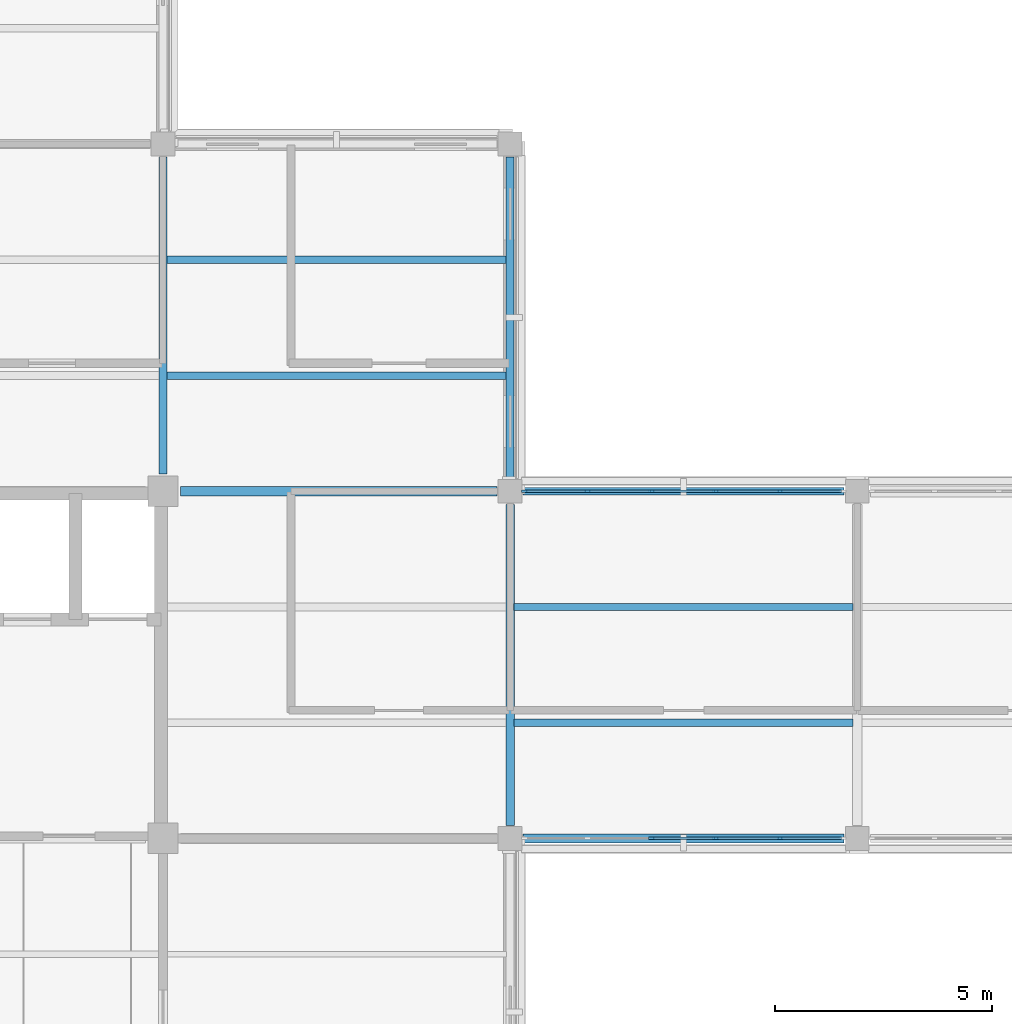
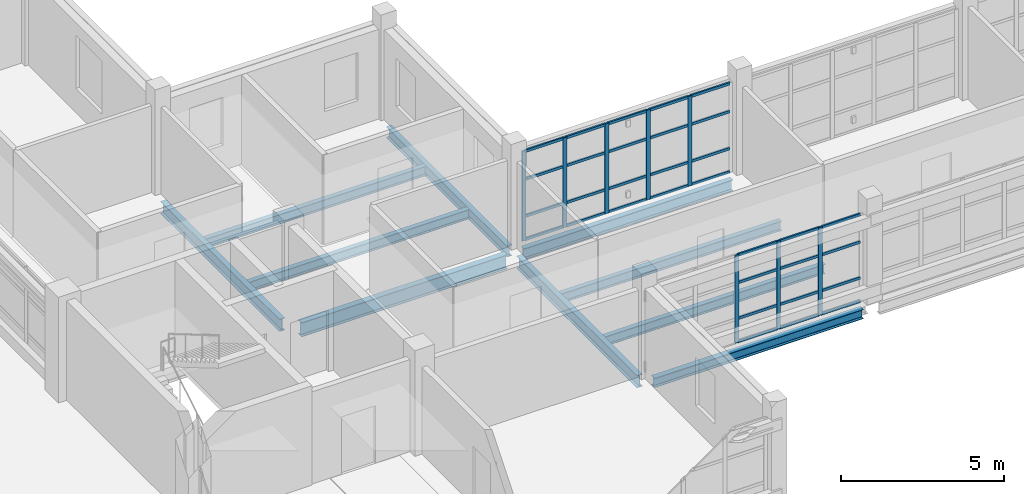
# One storey, part 26 of 107: 40 members, 10 beams, 2 elements without a shape of their own.
"""IFC4 building model written with IfcOpenShell, lengths in metres."""

from ifc_helpers import new_model, si_unit, derived_unit, direction, frame, origin, origin_2d, place, context, subcontext, project, spatial, rectangle, i_section, extrude, material, layer, layer_set, material_profile, profile_set, type_object, element, aggregate, save


model = new_model("IFC4")

# Units and contexts
model_context = context("Model", 3, precision=1e-05, world=origin(), true_north=direction((0.0, 1.0)))
body_context = subcontext(model_context, "Body", "Model", "MODEL_VIEW")
ifc_project = project(units=[si_unit("LENGTHUNIT", "METRE"), si_unit("AREAUNIT", "SQUARE_METRE"), si_unit("VOLUMEUNIT", "CUBIC_METRE"), si_unit("PLANEANGLEUNIT", "RADIAN"), si_unit("MASSUNIT", "GRAM", prefix="KILO"), derived_unit("THERMALTRANSMITTANCEUNIT", [(si_unit("MASSUNIT", "GRAM", prefix="KILO"), 1), (si_unit("TIMEUNIT", "SECOND"), -3), (si_unit("THERMODYNAMICTEMPERATUREUNIT", "KELVIN"), -1)])], contexts=[model_context])

# Site, building, storey
site_placement = place(None, origin())
site = spatial("IfcSite", under=ifc_project, at=site_placement, CompositionType="ELEMENT")
building_placement = place(site_placement, origin())
building = spatial("IfcBuilding", under=site, at=building_placement, Name="Veyamyaing Civic Hall", CompositionType="ELEMENT")
storey_placement = place(building_placement, frame((0.0, 0.0, 13.860107421875)))
storey = spatial("IfcBuildingStorey", under=building, at=storey_placement, Name="L03", CompositionType="ELEMENT", Elevation=13.860107421875)

# Beams
ifc_material_1 = material(Name="Steel ASTM A992", Category="steel")
ifc_material_profile_1 = material_profile(ifc_material_1, i_section(OverallWidth=0.208984375, OverallDepth=0.532958984375, WebThickness=0.01025390625, FlangeThickness=0.015625, FilletRadius=0.011962890625, at=origin_2d()), Name="W530X92")
ifc_profile_set_1 = profile_set([ifc_material_profile_1], Name="Steel ASTM A992")
beam_type_1 = type_object("IfcBeamType", Name="B-07", PredefinedType="BEAM", material=ifc_profile_set_1)
beam_1_placement = place(storey_placement, frame((112.39990234375, 56.0, -0.521728515625), z_axis=(1.0, 0.0, 0.0), x_axis=(0.0, 1.0, 0.0)))
element("IfcBeam", 1, at=beam_1_placement, inside=storey, type_object=beam_type_1, Name="Girder B-07 L03 Grid H 15-16", PredefinedType="BEAM", context=body_context, shape_type="SweptSolid", body=[
    extrude(i_section(OverallWidth=0.208984375, OverallDepth=0.532958984375, WebThickness=0.01025390625, FlangeThickness=0.015625, FilletRadius=0.011962890625, at=origin_2d()), origin(), (0.0, 0.0, 1.0), 7.300048828125),
])
ifc_material_profile_2 = material_profile(ifc_material_1, i_section(OverallWidth=0.19189453125, OverallDepth=0.462890625, WebThickness=0.010498046875, FlangeThickness=0.017578125, FilletRadius=0.010009765625, at=origin_2d()), Name="W460X89")
ifc_profile_set_2 = profile_set([ifc_material_profile_2], Name="Steel ASTM A992")
beam_type_2 = type_object("IfcBeamType", Name="B-08", PredefinedType="BEAM", material=ifc_profile_set_2)
beam_2_placement = place(storey_placement, frame((112.0, 56.39990234375, -0.486572265625), z_axis=(0.0, 1.0, 0.0), x_axis=(-1.0, 0.0, 0.0)))
element("IfcBeam", 2, at=beam_2_placement, inside=storey, type_object=beam_type_2, Name="Girder B-08 L03 Grid 15 H-J", PredefinedType="BEAM", context=body_context, shape_type="SweptSolid", body=[
    extrude(i_section(OverallWidth=0.19189453125, OverallDepth=0.462890625, WebThickness=0.010498046875, FlangeThickness=0.017578125, FilletRadius=0.010009765625, at=origin_2d()), origin(), (0.0, 0.0, 1.0), 7.300048828125),
])
beam_3_placement = place(storey_placement, frame((120.0, 48.300048828125, -0.486572265625), z_axis=(0.0, 1.0, 0.0), x_axis=(-1.0, 0.0, 0.0)))
element("IfcBeam", 3, at=beam_3_placement, inside=storey, type_object=beam_type_2, Name="Girder B-08 L03 Grid 16 G-H", PredefinedType="BEAM", context=body_context, shape_type="SweptSolid", body=[
    extrude(i_section(OverallWidth=0.19189453125, OverallDepth=0.462890625, WebThickness=0.010498046875, FlangeThickness=0.017578125, FilletRadius=0.010009765625, at=origin_2d()), origin(), (0.0, 0.0, 1.0), 7.39990234375),
])
ifc_material_profile_3 = material_profile(ifc_material_1, i_section(OverallWidth=0.2041015625, OverallDepth=0.35009765625, WebThickness=0.0078125, FlangeThickness=0.01513671875, FilletRadius=0.010009765625, at=origin_2d()), Name="W360X72")
ifc_profile_set_3 = profile_set([ifc_material_profile_3], Name="Steel ASTM A992")
beam_type_3 = type_object("IfcBeamType", Name="B-11", PredefinedType="SPANDREL", material=ifc_profile_set_3)
beam_4_placement = place(storey_placement, frame((120.300048828125, 48.0, -0.43017578125), z_axis=(1.0, 0.0, 0.0), x_axis=(0.0, 1.0, 0.0)))
element("IfcBeam", 4, at=beam_4_placement, inside=storey, type_object=beam_type_3, Name="Girder B-11 L03 Grid G 16-17", PredefinedType="SPANDREL", context=body_context, shape_type="SweptSolid", body=[
    extrude(i_section(OverallWidth=0.2041015625, OverallDepth=0.35009765625, WebThickness=0.0078125, FlangeThickness=0.01513671875, FilletRadius=0.010009765625, at=origin_2d()), origin(), (0.0, 0.0, 1.0), 7.39990234375),
])
ifc_material_profile_4 = material_profile(ifc_material_1, i_section(OverallWidth=0.180908203125, OverallDepth=0.4169921875, WebThickness=0.010986328125, FlangeThickness=0.018310546875, FilletRadius=0.010009765625, at=origin_2d()), Name="W410X85")
ifc_profile_set_4 = profile_set([ifc_material_profile_4], Name="Steel ASTM A992")
beam_type_4 = type_object("IfcBeamType", Name="B-19", PredefinedType="SPANDREL", material=ifc_profile_set_4)
for number, where, z_axis, x_axis, name in (
    (5, (120.300048828125, 56.0, -0.463623046875), (1.0, 0.0, 0.0), (0.0, 1.0, 0.0), "Girder B-19 L03 Grid H 16-17"),
    (6, (120.0, 56.300048828125, -0.463623046875), (0.0, 1.0, 0.0), (-1.0, 0.0, 0.0), "Girder B-19 L03 Grid 16 H-J"),
):
    element("IfcBeam", number, at=place(storey_placement, frame(where, z_axis=z_axis, x_axis=x_axis)), inside=storey, type_object=beam_type_4, Name=name, PredefinedType="SPANDREL", context=body_context, shape_type="SweptSolid", body=[
        extrude(i_section(OverallWidth=0.180908203125, OverallDepth=0.4169921875, WebThickness=0.010986328125, FlangeThickness=0.018310546875, FilletRadius=0.010009765625, at=origin_2d()), origin(), (0.0, 0.0, 1.0), 7.39990234375),
    ])

# Curtain wall, members
ifc_material_2 = material(Name="Anodised aluminium 6063-T6", Category="aluminium")
ifc_layer = layer(ifc_material_2, 0.139892578125, Name="Anodised aluminium 6063-T6")
ifc_layer_set = layer_set([ifc_layer], Name="Anodised aluminium 6063-T6")
curtain_wall_type = type_object("IfcCurtainWallType", Name="CW-04", PredefinedType="NOTDEFINED", material=ifc_layer_set)
curtain_wall_1_placement = place(storey_placement, origin())
curtain_wall_1 = element("IfcCurtainWall", 7, at=curtain_wall_1_placement, inside=storey, type_object=curtain_wall_type, Name="Unitized curtain wall CW-04 L03 S 16.7", PredefinedType="NOTDEFINED")
ifc_material_profile_5 = material_profile(ifc_material_2, rectangle(XDim=0.06005859375, YDim=0.139892578125, at=origin_2d()), Name="ALU-MUL-60X140")
ifc_profile_set_5 = profile_set([ifc_material_profile_5], Name="Anodised aluminium 6063-T6")
member_type_1 = type_object("IfcMemberType", Name="CWM-03", PredefinedType="MULLION", material=ifc_profile_set_5)
member_1_placement = place(storey_placement, frame((123.260986328125, 48.0, 0.0), z_axis=(0.0, 0.0, 1.0), x_axis=(0.0, 1.0, 0.0)))
member_1 = element("IfcMember", 8, at=member_1_placement, type_object=member_type_1, Name="CW-04 mullion 3", PredefinedType="MULLION", context=body_context, shape_type="SweptSolid", body=[
    extrude(rectangle(XDim=0.06005859375, YDim=0.139892578125, at=origin_2d()), origin(), (0.0, 0.0, 1.0), 3.2998046875),
])
member_2_placement = place(storey_placement, frame((124.739013671875, 48.0, 0.0), z_axis=(0.0, 0.0, 1.0), x_axis=(0.0, 1.0, 0.0)))
member_2 = element("IfcMember", 9, at=member_2_placement, type_object=member_type_1, Name="CW-04 mullion 4", PredefinedType="MULLION", context=body_context, shape_type="SweptSolid", body=[
    extrude(rectangle(XDim=0.06005859375, YDim=0.139892578125, at=origin_2d()), origin(), (0.0, 0.0, 1.0), 3.2998046875),
])
member_3_placement = place(storey_placement, frame((126.217041015625, 48.0, 0.0), z_axis=(0.0, 0.0, 1.0), x_axis=(0.0, 1.0, 0.0)))
member_3 = element("IfcMember", 10, at=member_3_placement, type_object=member_type_1, Name="CW-04 mullion 5", PredefinedType="MULLION", context=body_context, shape_type="SweptSolid", body=[
    extrude(rectangle(XDim=0.06005859375, YDim=0.139892578125, at=origin_2d()), origin(), (0.0, 0.0, 1.0), 3.2998046875),
])

curtain_wall_2_placement = place(storey_placement, origin())
curtain_wall_2 = element("IfcCurtainWall", 11, at=curtain_wall_2_placement, inside=storey, type_object=curtain_wall_type, Name="Unitized curtain wall CW-04 L03 N 16.7", PredefinedType="NOTDEFINED")
member_4_placement = place(storey_placement, frame((120.3349609375, 56.0, 0.0), z_axis=(0.0, 0.0, 1.0), x_axis=(0.0, 1.0, 0.0)))
member_4 = element("IfcMember", 12, at=member_4_placement, type_object=member_type_1, Name="CW-04 mullion 1", PredefinedType="MULLION", context=body_context, shape_type="SweptSolid", body=[
    extrude(rectangle(XDim=0.06005859375, YDim=0.139892578125, at=origin_2d()), origin(), (0.0, 0.0, 1.0), 3.364013671875),
])
member_5_placement = place(storey_placement, frame((121.782958984375, 56.0, 0.0), z_axis=(0.0, 0.0, 1.0), x_axis=(0.0, 1.0, 0.0)))
member_5 = element("IfcMember", 13, at=member_5_placement, type_object=member_type_1, Name="CW-04 mullion 2", PredefinedType="MULLION", context=body_context, shape_type="SweptSolid", body=[
    extrude(rectangle(XDim=0.06005859375, YDim=0.139892578125, at=origin_2d()), origin(), (0.0, 0.0, 1.0), 3.364013671875),
])
member_6_placement = place(storey_placement, frame((123.260986328125, 56.0, 0.0), z_axis=(0.0, 0.0, 1.0), x_axis=(0.0, 1.0, 0.0)))
member_6 = element("IfcMember", 14, at=member_6_placement, type_object=member_type_1, Name="CW-04 mullion 3", PredefinedType="MULLION", context=body_context, shape_type="SweptSolid", body=[
    extrude(rectangle(XDim=0.06005859375, YDim=0.139892578125, at=origin_2d()), origin(), (0.0, 0.0, 1.0), 3.364013671875),
])
member_7_placement = place(storey_placement, frame((124.739013671875, 56.0, 0.0), z_axis=(0.0, 0.0, 1.0), x_axis=(0.0, 1.0, 0.0)))
member_7 = element("IfcMember", 15, at=member_7_placement, type_object=member_type_1, Name="CW-04 mullion 4", PredefinedType="MULLION", context=body_context, shape_type="SweptSolid", body=[
    extrude(rectangle(XDim=0.06005859375, YDim=0.139892578125, at=origin_2d()), origin(), (0.0, 0.0, 1.0), 3.364013671875),
])
member_8_placement = place(storey_placement, frame((126.217041015625, 56.0, 0.0), z_axis=(0.0, 0.0, 1.0), x_axis=(0.0, 1.0, 0.0)))
member_8 = element("IfcMember", 16, at=member_8_placement, type_object=member_type_1, Name="CW-04 mullion 5", PredefinedType="MULLION", context=body_context, shape_type="SweptSolid", body=[
    extrude(rectangle(XDim=0.06005859375, YDim=0.139892578125, at=origin_2d()), origin(), (0.0, 0.0, 1.0), 3.364013671875),
])

# Member
ifc_material_profile_6 = material_profile(ifc_material_2, rectangle(XDim=0.06005859375, YDim=0.10009765625, at=origin_2d()), Name="ALU-TRN-60X100")
ifc_profile_set_6 = profile_set([ifc_material_profile_6], Name="Anodised aluminium 6063-T6")
member_type_2 = type_object("IfcMemberType", Name="CWT-03", PredefinedType="USERDEFINED", material=ifc_profile_set_6)
member_9_placement = place(storey_placement, frame((123.291015625, 48.0, 0.02978515625), z_axis=(1.0, 0.0, 0.0), x_axis=(0.0, 1.0, 0.0)))
member_9 = element("IfcMember", 17, at=member_9_placement, type_object=member_type_2, Name="CW-04 transom 3.1", ObjectType="TRANSOM", PredefinedType="USERDEFINED", context=body_context, shape_type="SweptSolid", body=[
    extrude(rectangle(XDim=0.06005859375, YDim=0.10009765625, at=origin_2d()), origin(), (0.0, 0.0, 1.0), 1.41796875),
])

member_10_placement = place(storey_placement, frame((123.291015625, 48.0, 0.89990234375), z_axis=(1.0, 0.0, 0.0), x_axis=(0.0, 1.0, 0.0)))
member_10 = element("IfcMember", 18, at=member_10_placement, type_object=member_type_2, Name="CW-04 transom 3.2", ObjectType="TRANSOM", PredefinedType="USERDEFINED", context=body_context, shape_type="SweptSolid", body=[
    extrude(rectangle(XDim=0.06005859375, YDim=0.10009765625, at=origin_2d()), origin(), (0.0, 0.0, 1.0), 1.41796875),
])

member_11_placement = place(storey_placement, frame((123.291015625, 48.0, 2.243896484375), z_axis=(1.0, 0.0, 0.0), x_axis=(0.0, 1.0, 0.0)))
member_11 = element("IfcMember", 19, at=member_11_placement, type_object=member_type_2, Name="CW-04 transom 3.3", ObjectType="TRANSOM", PredefinedType="USERDEFINED", context=body_context, shape_type="SweptSolid", body=[
    extrude(rectangle(XDim=0.06005859375, YDim=0.10009765625, at=origin_2d()), origin(), (0.0, 0.0, 1.0), 1.41796875),
])

member_12_placement = place(storey_placement, frame((123.291015625, 48.0, 3.269775390625), z_axis=(1.0, 0.0, 0.0), x_axis=(0.0, 1.0, 0.0)))
member_12 = element("IfcMember", 20, at=member_12_placement, type_object=member_type_2, Name="CW-04 transom 3.4", ObjectType="TRANSOM", PredefinedType="USERDEFINED", context=body_context, shape_type="SweptSolid", body=[
    extrude(rectangle(XDim=0.06005859375, YDim=0.10009765625, at=origin_2d()), origin(), (0.0, 0.0, 1.0), 1.41796875),
])

member_13_placement = place(storey_placement, frame((124.76904296875, 48.0, 0.02978515625), z_axis=(1.0, 0.0, 0.0), x_axis=(0.0, 1.0, 0.0)))
member_13 = element("IfcMember", 21, at=member_13_placement, type_object=member_type_2, Name="CW-04 transom 4.1", ObjectType="TRANSOM", PredefinedType="USERDEFINED", context=body_context, shape_type="SweptSolid", body=[
    extrude(rectangle(XDim=0.06005859375, YDim=0.10009765625, at=origin_2d()), origin(), (0.0, 0.0, 1.0), 1.41796875),
])

member_14_placement = place(storey_placement, frame((124.76904296875, 48.0, 0.89990234375), z_axis=(1.0, 0.0, 0.0), x_axis=(0.0, 1.0, 0.0)))
member_14 = element("IfcMember", 22, at=member_14_placement, type_object=member_type_2, Name="CW-04 transom 4.2", ObjectType="TRANSOM", PredefinedType="USERDEFINED", context=body_context, shape_type="SweptSolid", body=[
    extrude(rectangle(XDim=0.06005859375, YDim=0.10009765625, at=origin_2d()), origin(), (0.0, 0.0, 1.0), 1.41796875),
])

member_15_placement = place(storey_placement, frame((124.76904296875, 48.0, 2.243896484375), z_axis=(1.0, 0.0, 0.0), x_axis=(0.0, 1.0, 0.0)))
member_15 = element("IfcMember", 23, at=member_15_placement, type_object=member_type_2, Name="CW-04 transom 4.3", ObjectType="TRANSOM", PredefinedType="USERDEFINED", context=body_context, shape_type="SweptSolid", body=[
    extrude(rectangle(XDim=0.06005859375, YDim=0.10009765625, at=origin_2d()), origin(), (0.0, 0.0, 1.0), 1.41796875),
])

member_16_placement = place(storey_placement, frame((124.76904296875, 48.0, 3.269775390625), z_axis=(1.0, 0.0, 0.0), x_axis=(0.0, 1.0, 0.0)))
member_16 = element("IfcMember", 24, at=member_16_placement, type_object=member_type_2, Name="CW-04 transom 4.4", ObjectType="TRANSOM", PredefinedType="USERDEFINED", context=body_context, shape_type="SweptSolid", body=[
    extrude(rectangle(XDim=0.06005859375, YDim=0.10009765625, at=origin_2d()), origin(), (0.0, 0.0, 1.0), 1.41796875),
])

member_17_placement = place(storey_placement, frame((126.2470703125, 48.0, 0.02978515625), z_axis=(1.0, 0.0, 0.0), x_axis=(0.0, 1.0, 0.0)))
member_17 = element("IfcMember", 25, at=member_17_placement, type_object=member_type_2, Name="CW-04 transom 5.1", ObjectType="TRANSOM", PredefinedType="USERDEFINED", context=body_context, shape_type="SweptSolid", body=[
    extrude(rectangle(XDim=0.06005859375, YDim=0.10009765625, at=origin_2d()), origin(), (0.0, 0.0, 1.0), 1.387939453125),
])

member_18_placement = place(storey_placement, frame((126.2470703125, 48.0, 0.89990234375), z_axis=(1.0, 0.0, 0.0), x_axis=(0.0, 1.0, 0.0)))
member_18 = element("IfcMember", 26, at=member_18_placement, type_object=member_type_2, Name="CW-04 transom 5.2", ObjectType="TRANSOM", PredefinedType="USERDEFINED", context=body_context, shape_type="SweptSolid", body=[
    extrude(rectangle(XDim=0.06005859375, YDim=0.10009765625, at=origin_2d()), origin(), (0.0, 0.0, 1.0), 1.387939453125),
])

member_19_placement = place(storey_placement, frame((126.2470703125, 48.0, 2.243896484375), z_axis=(1.0, 0.0, 0.0), x_axis=(0.0, 1.0, 0.0)))
member_19 = element("IfcMember", 27, at=member_19_placement, type_object=member_type_2, Name="CW-04 transom 5.3", ObjectType="TRANSOM", PredefinedType="USERDEFINED", context=body_context, shape_type="SweptSolid", body=[
    extrude(rectangle(XDim=0.06005859375, YDim=0.10009765625, at=origin_2d()), origin(), (0.0, 0.0, 1.0), 1.387939453125),
])

member_20_placement = place(storey_placement, frame((126.2470703125, 48.0, 3.269775390625), z_axis=(1.0, 0.0, 0.0), x_axis=(0.0, 1.0, 0.0)))
member_20 = element("IfcMember", 28, at=member_20_placement, type_object=member_type_2, Name="CW-04 transom 5.4", ObjectType="TRANSOM", PredefinedType="USERDEFINED", context=body_context, shape_type="SweptSolid", body=[
    extrude(rectangle(XDim=0.06005859375, YDim=0.10009765625, at=origin_2d()), origin(), (0.0, 0.0, 1.0), 1.387939453125),
])

aggregate(curtain_wall_1, [member_1, member_2, member_3, member_9, member_10, member_11, member_12, member_13, member_14, member_15, member_16, member_17, member_18, member_19, member_20])

member_21_placement = place(storey_placement, frame((120.364990234375, 56.0, 0.02978515625), z_axis=(1.0, 0.0, 0.0), x_axis=(0.0, 1.0, 0.0)))
member_21 = element("IfcMember", 29, at=member_21_placement, type_object=member_type_2, Name="CW-04 transom 1.1", ObjectType="TRANSOM", PredefinedType="USERDEFINED", context=body_context, shape_type="SweptSolid", body=[
    extrude(rectangle(XDim=0.06005859375, YDim=0.10009765625, at=origin_2d()), origin(), (0.0, 0.0, 1.0), 1.387939453125),
])

member_22_placement = place(storey_placement, frame((120.364990234375, 56.0, 0.89990234375), z_axis=(1.0, 0.0, 0.0), x_axis=(0.0, 1.0, 0.0)))
member_22 = element("IfcMember", 30, at=member_22_placement, type_object=member_type_2, Name="CW-04 transom 1.2", ObjectType="TRANSOM", PredefinedType="USERDEFINED", context=body_context, shape_type="SweptSolid", body=[
    extrude(rectangle(XDim=0.06005859375, YDim=0.10009765625, at=origin_2d()), origin(), (0.0, 0.0, 1.0), 1.387939453125),
])

member_23_placement = place(storey_placement, frame((120.364990234375, 56.0, 2.287353515625), z_axis=(1.0, 0.0, 0.0), x_axis=(0.0, 1.0, 0.0)))
member_23 = element("IfcMember", 31, at=member_23_placement, type_object=member_type_2, Name="CW-04 transom 1.3", ObjectType="TRANSOM", PredefinedType="USERDEFINED", context=body_context, shape_type="SweptSolid", body=[
    extrude(rectangle(XDim=0.06005859375, YDim=0.10009765625, at=origin_2d()), origin(), (0.0, 0.0, 1.0), 1.387939453125),
])

member_24_placement = place(storey_placement, frame((120.364990234375, 56.0, 3.333984375), z_axis=(1.0, 0.0, 0.0), x_axis=(0.0, 1.0, 0.0)))
member_24 = element("IfcMember", 32, at=member_24_placement, type_object=member_type_2, Name="CW-04 transom 1.4", ObjectType="TRANSOM", PredefinedType="USERDEFINED", context=body_context, shape_type="SweptSolid", body=[
    extrude(rectangle(XDim=0.06005859375, YDim=0.10009765625, at=origin_2d()), origin(), (0.0, 0.0, 1.0), 1.387939453125),
])

member_25_placement = place(storey_placement, frame((121.81298828125, 56.0, 0.02978515625), z_axis=(1.0, 0.0, 0.0), x_axis=(0.0, 1.0, 0.0)))
member_25 = element("IfcMember", 33, at=member_25_placement, type_object=member_type_2, Name="CW-04 transom 2.1", ObjectType="TRANSOM", PredefinedType="USERDEFINED", context=body_context, shape_type="SweptSolid", body=[
    extrude(rectangle(XDim=0.06005859375, YDim=0.10009765625, at=origin_2d()), origin(), (0.0, 0.0, 1.0), 1.41796875),
])

member_26_placement = place(storey_placement, frame((121.81298828125, 56.0, 0.89990234375), z_axis=(1.0, 0.0, 0.0), x_axis=(0.0, 1.0, 0.0)))
member_26 = element("IfcMember", 34, at=member_26_placement, type_object=member_type_2, Name="CW-04 transom 2.2", ObjectType="TRANSOM", PredefinedType="USERDEFINED", context=body_context, shape_type="SweptSolid", body=[
    extrude(rectangle(XDim=0.06005859375, YDim=0.10009765625, at=origin_2d()), origin(), (0.0, 0.0, 1.0), 1.41796875),
])

member_27_placement = place(storey_placement, frame((121.81298828125, 56.0, 2.287353515625), z_axis=(1.0, 0.0, 0.0), x_axis=(0.0, 1.0, 0.0)))
member_27 = element("IfcMember", 35, at=member_27_placement, type_object=member_type_2, Name="CW-04 transom 2.3", ObjectType="TRANSOM", PredefinedType="USERDEFINED", context=body_context, shape_type="SweptSolid", body=[
    extrude(rectangle(XDim=0.06005859375, YDim=0.10009765625, at=origin_2d()), origin(), (0.0, 0.0, 1.0), 1.41796875),
])

member_28_placement = place(storey_placement, frame((121.81298828125, 56.0, 3.333984375), z_axis=(1.0, 0.0, 0.0), x_axis=(0.0, 1.0, 0.0)))
member_28 = element("IfcMember", 36, at=member_28_placement, type_object=member_type_2, Name="CW-04 transom 2.4", ObjectType="TRANSOM", PredefinedType="USERDEFINED", context=body_context, shape_type="SweptSolid", body=[
    extrude(rectangle(XDim=0.06005859375, YDim=0.10009765625, at=origin_2d()), origin(), (0.0, 0.0, 1.0), 1.41796875),
])

member_29_placement = place(storey_placement, frame((123.291015625, 56.0, 0.02978515625), z_axis=(1.0, 0.0, 0.0), x_axis=(0.0, 1.0, 0.0)))
member_29 = element("IfcMember", 37, at=member_29_placement, type_object=member_type_2, Name="CW-04 transom 3.1", ObjectType="TRANSOM", PredefinedType="USERDEFINED", context=body_context, shape_type="SweptSolid", body=[
    extrude(rectangle(XDim=0.06005859375, YDim=0.10009765625, at=origin_2d()), origin(), (0.0, 0.0, 1.0), 1.41796875),
])

member_30_placement = place(storey_placement, frame((123.291015625, 56.0, 0.89990234375), z_axis=(1.0, 0.0, 0.0), x_axis=(0.0, 1.0, 0.0)))
member_30 = element("IfcMember", 38, at=member_30_placement, type_object=member_type_2, Name="CW-04 transom 3.2", ObjectType="TRANSOM", PredefinedType="USERDEFINED", context=body_context, shape_type="SweptSolid", body=[
    extrude(rectangle(XDim=0.06005859375, YDim=0.10009765625, at=origin_2d()), origin(), (0.0, 0.0, 1.0), 1.41796875),
])

member_31_placement = place(storey_placement, frame((123.291015625, 56.0, 2.287353515625), z_axis=(1.0, 0.0, 0.0), x_axis=(0.0, 1.0, 0.0)))
member_31 = element("IfcMember", 39, at=member_31_placement, type_object=member_type_2, Name="CW-04 transom 3.3", ObjectType="TRANSOM", PredefinedType="USERDEFINED", context=body_context, shape_type="SweptSolid", body=[
    extrude(rectangle(XDim=0.06005859375, YDim=0.10009765625, at=origin_2d()), origin(), (0.0, 0.0, 1.0), 1.41796875),
])

member_32_placement = place(storey_placement, frame((123.291015625, 56.0, 3.333984375), z_axis=(1.0, 0.0, 0.0), x_axis=(0.0, 1.0, 0.0)))
member_32 = element("IfcMember", 40, at=member_32_placement, type_object=member_type_2, Name="CW-04 transom 3.4", ObjectType="TRANSOM", PredefinedType="USERDEFINED", context=body_context, shape_type="SweptSolid", body=[
    extrude(rectangle(XDim=0.06005859375, YDim=0.10009765625, at=origin_2d()), origin(), (0.0, 0.0, 1.0), 1.41796875),
])

member_33_placement = place(storey_placement, frame((124.76904296875, 56.0, 0.02978515625), z_axis=(1.0, 0.0, 0.0), x_axis=(0.0, 1.0, 0.0)))
member_33 = element("IfcMember", 41, at=member_33_placement, type_object=member_type_2, Name="CW-04 transom 4.1", ObjectType="TRANSOM", PredefinedType="USERDEFINED", context=body_context, shape_type="SweptSolid", body=[
    extrude(rectangle(XDim=0.06005859375, YDim=0.10009765625, at=origin_2d()), origin(), (0.0, 0.0, 1.0), 1.41796875),
])

member_34_placement = place(storey_placement, frame((124.76904296875, 56.0, 0.89990234375), z_axis=(1.0, 0.0, 0.0), x_axis=(0.0, 1.0, 0.0)))
member_34 = element("IfcMember", 42, at=member_34_placement, type_object=member_type_2, Name="CW-04 transom 4.2", ObjectType="TRANSOM", PredefinedType="USERDEFINED", context=body_context, shape_type="SweptSolid", body=[
    extrude(rectangle(XDim=0.06005859375, YDim=0.10009765625, at=origin_2d()), origin(), (0.0, 0.0, 1.0), 1.41796875),
])

member_35_placement = place(storey_placement, frame((124.76904296875, 56.0, 2.287353515625), z_axis=(1.0, 0.0, 0.0), x_axis=(0.0, 1.0, 0.0)))
member_35 = element("IfcMember", 43, at=member_35_placement, type_object=member_type_2, Name="CW-04 transom 4.3", ObjectType="TRANSOM", PredefinedType="USERDEFINED", context=body_context, shape_type="SweptSolid", body=[
    extrude(rectangle(XDim=0.06005859375, YDim=0.10009765625, at=origin_2d()), origin(), (0.0, 0.0, 1.0), 1.41796875),
])

member_36_placement = place(storey_placement, frame((124.76904296875, 56.0, 3.333984375), z_axis=(1.0, 0.0, 0.0), x_axis=(0.0, 1.0, 0.0)))
member_36 = element("IfcMember", 44, at=member_36_placement, type_object=member_type_2, Name="CW-04 transom 4.4", ObjectType="TRANSOM", PredefinedType="USERDEFINED", context=body_context, shape_type="SweptSolid", body=[
    extrude(rectangle(XDim=0.06005859375, YDim=0.10009765625, at=origin_2d()), origin(), (0.0, 0.0, 1.0), 1.41796875),
])

member_37_placement = place(storey_placement, frame((126.2470703125, 56.0, 0.02978515625), z_axis=(1.0, 0.0, 0.0), x_axis=(0.0, 1.0, 0.0)))
member_37 = element("IfcMember", 45, at=member_37_placement, type_object=member_type_2, Name="CW-04 transom 5.1", ObjectType="TRANSOM", PredefinedType="USERDEFINED", context=body_context, shape_type="SweptSolid", body=[
    extrude(rectangle(XDim=0.06005859375, YDim=0.10009765625, at=origin_2d()), origin(), (0.0, 0.0, 1.0), 1.387939453125),
])

member_38_placement = place(storey_placement, frame((126.2470703125, 56.0, 0.89990234375), z_axis=(1.0, 0.0, 0.0), x_axis=(0.0, 1.0, 0.0)))
member_38 = element("IfcMember", 46, at=member_38_placement, type_object=member_type_2, Name="CW-04 transom 5.2", ObjectType="TRANSOM", PredefinedType="USERDEFINED", context=body_context, shape_type="SweptSolid", body=[
    extrude(rectangle(XDim=0.06005859375, YDim=0.10009765625, at=origin_2d()), origin(), (0.0, 0.0, 1.0), 1.387939453125),
])

member_39_placement = place(storey_placement, frame((126.2470703125, 56.0, 2.287353515625), z_axis=(1.0, 0.0, 0.0), x_axis=(0.0, 1.0, 0.0)))
member_39 = element("IfcMember", 47, at=member_39_placement, type_object=member_type_2, Name="CW-04 transom 5.3", ObjectType="TRANSOM", PredefinedType="USERDEFINED", context=body_context, shape_type="SweptSolid", body=[
    extrude(rectangle(XDim=0.06005859375, YDim=0.10009765625, at=origin_2d()), origin(), (0.0, 0.0, 1.0), 1.387939453125),
])

member_40_placement = place(storey_placement, frame((126.2470703125, 56.0, 3.333984375), z_axis=(1.0, 0.0, 0.0), x_axis=(0.0, 1.0, 0.0)))
member_40 = element("IfcMember", 48, at=member_40_placement, type_object=member_type_2, Name="CW-04 transom 5.4", ObjectType="TRANSOM", PredefinedType="USERDEFINED", context=body_context, shape_type="SweptSolid", body=[
    extrude(rectangle(XDim=0.06005859375, YDim=0.10009765625, at=origin_2d()), origin(), (0.0, 0.0, 1.0), 1.387939453125),
])

aggregate(curtain_wall_2, [member_4, member_5, member_6, member_7, member_8, member_21, member_22, member_23, member_24, member_25, member_26, member_27, member_28, member_29, member_30, member_31, member_32, member_33, member_34, member_35, member_36, member_37, member_38, member_39, member_40])

# Beams
ifc_material_profile_7 = material_profile(ifc_material_1, i_section(OverallWidth=0.172119140625, OverallDepth=0.35791015625, WebThickness=0.0078125, FlangeThickness=0.01318359375, FilletRadius=0.010009765625, at=origin_2d()), Name="W360X57")
ifc_profile_set_7 = profile_set([ifc_material_profile_7], Name="Steel ASTM A992")
beam_type_5 = type_object("IfcBeamType", Name="J-02", PredefinedType="JOIST", material=ifc_profile_set_7)
for number, where, z_axis, x_axis, name in (
    (49, (112.093994140625, 58.666748046875, -0.43408203125), (1.0, 0.0, 0.0), (0.0, 1.0, 0.0), "Composite floor joist J-02 L03 15.8.1"),
    (50, (112.093994140625, 61.333251953125, -0.43408203125), (1.0, 0.0, 0.0), (0.0, 1.0, 0.0), "Composite floor joist J-02 L03 15.8.2"),
):
    element("IfcBeam", number, at=place(storey_placement, frame(where, z_axis=z_axis, x_axis=x_axis)), inside=storey, type_object=beam_type_5, Name=name, PredefinedType="JOIST", context=body_context, shape_type="SweptSolid", body=[
        extrude(i_section(OverallWidth=0.172119140625, OverallDepth=0.35791015625, WebThickness=0.0078125, FlangeThickness=0.01318359375, FilletRadius=0.010009765625, at=origin_2d()), origin(), (0.0, 0.0, 1.0), 7.817626953125),
    ])
for number, where, z_axis, x_axis, name in (
    (51, (120.093994140625, 50.666748046875, -0.43408203125), (1.0, 0.0, 0.0), (0.0, 1.0, 0.0), "Composite floor joist J-02 L03 16.7.1"),
    (52, (120.093994140625, 53.333251953125, -0.43408203125), (1.0, 0.0, 0.0), (0.0, 1.0, 0.0), "Composite floor joist J-02 L03 16.7.2"),
):
    element("IfcBeam", number, at=place(storey_placement, frame(where, z_axis=z_axis, x_axis=x_axis)), inside=storey, type_object=beam_type_5, Name=name, PredefinedType="JOIST", context=body_context, shape_type="SweptSolid", body=[
        extrude(i_section(OverallWidth=0.172119140625, OverallDepth=0.35791015625, WebThickness=0.0078125, FlangeThickness=0.01318359375, FilletRadius=0.010009765625, at=origin_2d()), origin(), (0.0, 0.0, 1.0), 7.802490234375),
    ])

save(model, "model.ifc")
